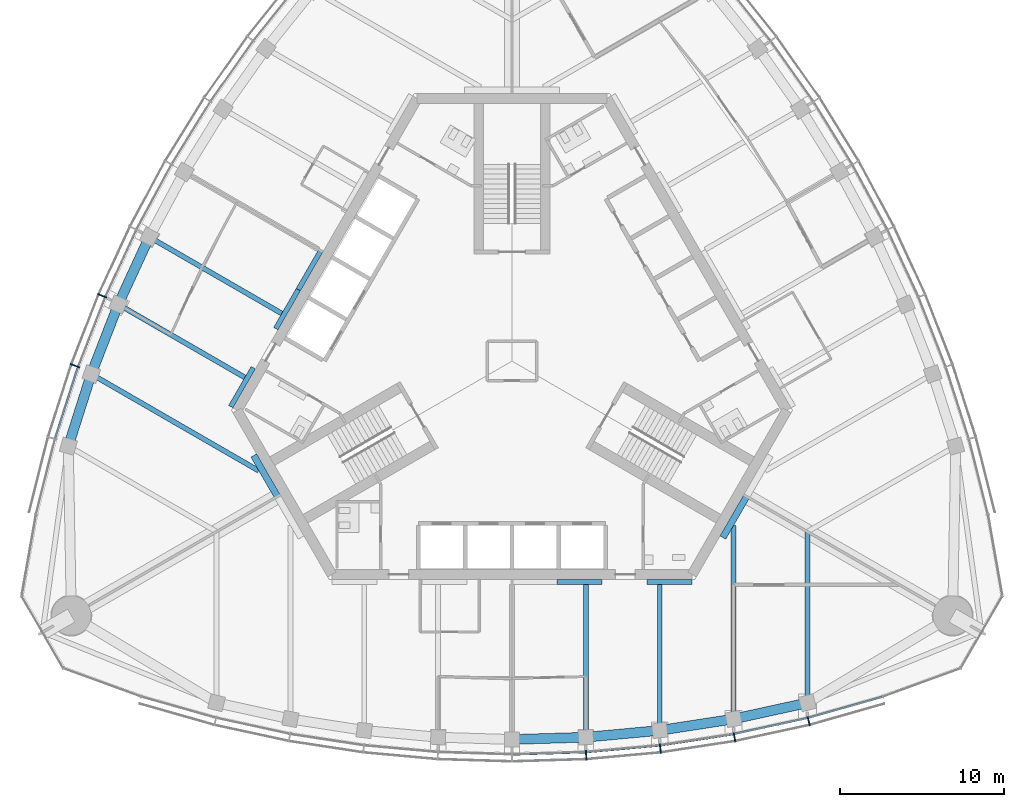
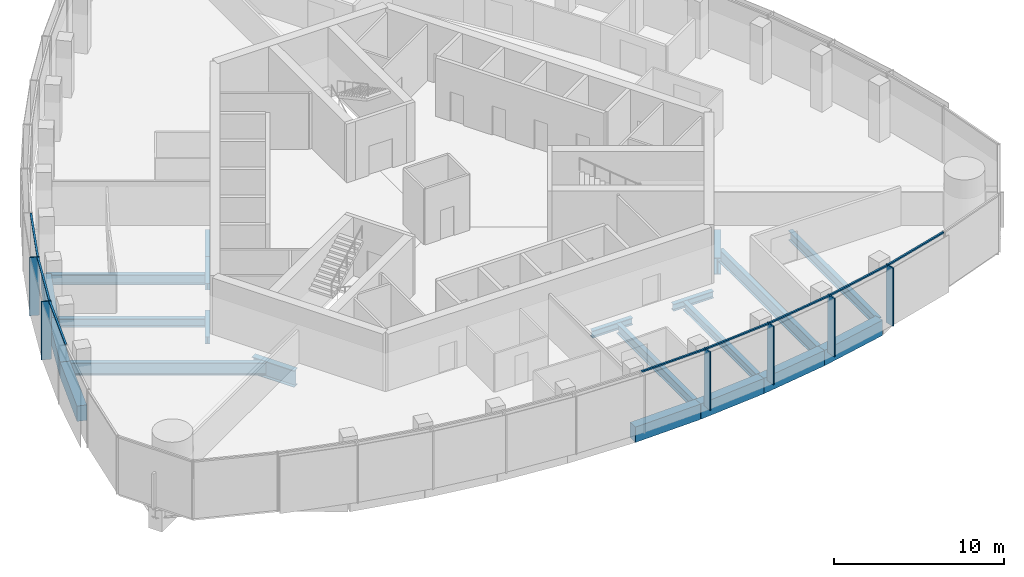
# One storey, part 3 of 16: 21 beams, 14 members, 2 elements without a shape of their own.
"""IFC4 building model written with IfcOpenShell, lengths in metres."""

from ifc_helpers import new_model, si_unit, direction, frame, origin, origin_2d, place, context, subcontext, project, spatial, rectangle, i_section, extrude, material, material_profile, profile_set, type_object, element, aggregate, save


model = new_model("IFC4")

# Units and contexts
model_context = context("Model", 3, precision=1e-05, world=origin(), true_north=direction((0.0, 1.0)))
body_context = subcontext(model_context, "Body", "Model", "MODEL_VIEW")
ifc_project = project(units=[si_unit("LENGTHUNIT", "METRE"), si_unit("AREAUNIT", "SQUARE_METRE"), si_unit("VOLUMEUNIT", "CUBIC_METRE"), si_unit("PLANEANGLEUNIT", "RADIAN"), si_unit("MASSUNIT", "GRAM", prefix="KILO")], contexts=[model_context])

# Site, building, storey
site_placement = place(None, origin())
site = spatial("IfcSite", under=ifc_project, at=site_placement, CompositionType="ELEMENT")
building_placement = place(site_placement, origin())
building = spatial("IfcBuilding", under=site, at=building_placement, Name="Trefoil Bronze Tower", CompositionType="ELEMENT")
storey_placement = place(building_placement, frame((0.0, 0.0, 314.10009765625)))
storey = spatial("IfcBuildingStorey", under=building, at=storey_placement, Name="L72", CompositionType="ELEMENT", Elevation=314.10009765625)

# Curtain wall, members
ifc_material_1 = material(Name="Tinted solar-control glass", Category="glass")
curtain_wall_type = type_object("IfcCurtainWallType", Name="Bronze office curtain wall", PredefinedType="USERDEFINED", material=ifc_material_1)
curtain_wall_1_placement = place(storey_placement, origin())
curtain_wall_1 = element("IfcCurtainWall", 1, at=curtain_wall_1_placement, inside=storey, type_object=curtain_wall_type, Name="CW-A L72 F1", ObjectType="CURTAIN WALL", PredefinedType="USERDEFINED")
ifc_material_2 = material(Name="Bronze-finish aluminium", Category="aluminium")
ifc_material_profile_1 = material_profile(ifc_material_2, rectangle(XDim=0.60009765625, YDim=0.080078125, at=origin_2d()), Name="CW-A mullion")
ifc_profile_set_1 = profile_set([ifc_material_profile_1], Name="Bronze-finish aluminium")
member_type_1 = type_object("IfcMemberType", Name="Bronze office curtain wall mullion", PredefinedType="MULLION", material=ifc_profile_set_1)
member_1_placement = place(storey_placement, frame((4.51806640625, -24.014892578125, 0.0), z_axis=(0.0, 0.0, 1.0), x_axis=(-0.060554040199, 0.998164920349, 0.0)))
member_1 = element("IfcMember", 2, at=member_1_placement, type_object=member_type_1, Name="CW-A L72 F1 mullion 7", PredefinedType="MULLION", context=body_context, shape_type="SweptSolid", body=[
    extrude(rectangle(XDim=0.60009765625, YDim=0.080078125, at=origin_2d()), origin(), (0.0, 0.0, 1.0), 4.179931640625),
])
member_2_placement = place(storey_placement, frame((9.036376953125, -23.602783203125, 0.0), z_axis=(0.0, 0.0, 1.0), x_axis=(-0.121109330868, 0.992639174109, 0.0)))
member_2 = element("IfcMember", 3, at=member_2_placement, type_object=member_type_1, Name="CW-A L72 F1 mullion 8", PredefinedType="MULLION", context=body_context, shape_type="SweptSolid", body=[
    extrude(rectangle(XDim=0.60009765625, YDim=0.080078125, at=origin_2d()), origin(), (0.0, 0.0, 1.0), 4.179931640625),
])
member_3_placement = place(storey_placement, frame((13.554443359375, -22.911376953125, 0.0), z_axis=(0.0, 0.0, 1.0), x_axis=(-0.181667218242, 0.983360067227, 0.0)))
member_3 = element("IfcMember", 4, at=member_3_placement, type_object=member_type_1, Name="CW-A L72 F1 mullion 9", PredefinedType="MULLION", context=body_context, shape_type="SweptSolid", body=[
    extrude(rectangle(XDim=0.60009765625, YDim=0.080078125, at=origin_2d()), origin(), (0.0, 0.0, 1.0), 4.179931640625),
])
member_4_placement = place(storey_placement, frame((18.07275390625, -21.931884765625, 0.0), z_axis=(0.0, 0.0, 1.0), x_axis=(-0.242394494031, 0.97017777199, 0.0)))
member_4 = element("IfcMember", 5, at=member_4_placement, type_object=member_type_1, Name="CW-A L72 F1 mullion 10", PredefinedType="MULLION", context=body_context, shape_type="SweptSolid", body=[
    extrude(rectangle(XDim=0.60009765625, YDim=0.080078125, at=origin_2d()), origin(), (0.0, 0.0, 1.0), 4.179931640625),
])

curtain_wall_2_placement = place(storey_placement, origin())
curtain_wall_2 = element("IfcCurtainWall", 6, at=curtain_wall_2_placement, inside=storey, type_object=curtain_wall_type, Name="CW-A L72 F3", ObjectType="CURTAIN WALL", PredefinedType="USERDEFINED")
member_5_placement = place(storey_placement, frame((-24.958984375, 3.975830078125, 0.0), z_axis=(0.0, 0.0, 1.0), x_axis=(0.920205407004, -0.391435829888, 0.0)))
member_5 = element("IfcMember", 7, at=member_5_placement, type_object=member_type_1, Name="CW-A L72 F3 mullion 8", PredefinedType="MULLION", context=body_context, shape_type="SweptSolid", body=[
    extrude(rectangle(XDim=0.60009765625, YDim=0.080078125, at=origin_2d()), origin(), (0.0, 0.0, 1.0), 4.179931640625),
])
member_6_placement = place(storey_placement, frame((-26.618896484375, -0.282958984375, 0.0), z_axis=(0.0, 0.0, 1.0), x_axis=(0.942448408407, -0.334351607581, 0.0)))
member_6 = element("IfcMember", 8, at=member_6_placement, type_object=member_type_1, Name="CW-A L72 F3 mullion 9", PredefinedType="MULLION", context=body_context, shape_type="SweptSolid", body=[
    extrude(rectangle(XDim=0.60009765625, YDim=0.080078125, at=origin_2d()), origin(), (0.0, 0.0, 1.0), 4.179931640625),
])

# Member
ifc_material_3 = material(Name="Bronze-finish aluminium", Category="aluminium")
ifc_material_profile_2 = material_profile(ifc_material_3, rectangle(XDim=0.1201171875, YDim=0.10009765625, at=origin_2d()), Name="CW-A transom")
ifc_profile_set_2 = profile_set([ifc_material_profile_2], Name="Bronze-finish aluminium")
member_type_2 = type_object("IfcMemberType", Name="Bronze office curtain wall transom", PredefinedType="USERDEFINED", material=ifc_profile_set_2)
member_7_placement = place(storey_placement, frame((0.04296875, -23.950439453125, 4.1298828125), z_axis=(0.99954057115, 0.030309183848, 0.0), x_axis=(-0.030309183848, 0.99954057115, 0.0)))
member_7 = element("IfcMember", 9, at=member_7_placement, type_object=member_type_2, Name="CW-A L72 F1 transom 6", ObjectType="TRANSOM", PredefinedType="USERDEFINED", context=body_context, shape_type="SweptSolid", body=[
    extrude(rectangle(XDim=0.1201171875, YDim=0.10009765625, at=origin_2d()), origin(), (0.0, 0.0, 1.0), 4.422119140625),
])

member_8_placement = place(storey_placement, frame((4.548828125, -23.811279296875, 4.1298828125), z_axis=(0.995868373079, 0.090808499059, 0.0), x_axis=(-0.090808499059, 0.995868373079, 0.0)))
member_8 = element("IfcMember", 10, at=member_8_placement, type_object=member_type_2, Name="CW-A L72 F1 transom 7", ObjectType="TRANSOM", PredefinedType="USERDEFINED", context=body_context, shape_type="SweptSolid", body=[
    extrude(rectangle(XDim=0.1201171875, YDim=0.10009765625, at=origin_2d()), origin(), (0.0, 0.0, 1.0), 4.438720703125),
])

member_9_placement = place(storey_placement, frame((9.0546875, -23.39794921875, 4.1298828125), z_axis=(0.988485016014, 0.151318779787, 0.0), x_axis=(-0.151318779787, 0.988485016014, 0.0)))
member_9 = element("IfcMember", 11, at=member_9_placement, type_object=member_type_2, Name="CW-A L72 F1 transom 8", ObjectType="TRANSOM", PredefinedType="USERDEFINED", context=body_context, shape_type="SweptSolid", body=[
    extrude(rectangle(XDim=0.1201171875, YDim=0.10009765625, at=origin_2d()), origin(), (0.0, 0.0, 1.0), 4.472412109375),
])

member_10_placement = place(storey_placement, frame((13.560302734375, -22.70556640625, 4.1298828125), z_axis=(0.977303780028, 0.211842681117, 0.0), x_axis=(-0.211842681117, 0.977303780028, 0.0)))
member_10 = element("IfcMember", 12, at=member_10_placement, type_object=member_type_2, Name="CW-A L72 F1 transom 9", ObjectType="TRANSOM", PredefinedType="USERDEFINED", context=body_context, shape_type="SweptSolid", body=[
    extrude(rectangle(XDim=0.1201171875, YDim=0.10009765625, at=origin_2d()), origin(), (0.0, 0.0, 1.0), 4.524658203125),
])

member_11_placement = place(storey_placement, frame((18.065673828125, -21.72607421875, 4.1298828125), z_axis=(0.962102611578, 0.272687668944, 0.0), x_axis=(-0.272687668944, 0.962102611578, 0.0)))
member_11 = element("IfcMember", 13, at=member_11_placement, type_object=member_type_2, Name="CW-A L72 F1 transom 10", ObjectType="TRANSOM", PredefinedType="USERDEFINED", context=body_context, shape_type="SweptSolid", body=[
    extrude(rectangle(XDim=0.1201171875, YDim=0.10009765625, at=origin_2d()), origin(), (0.0, 0.0, 1.0), 4.6474609375),
])

aggregate(curtain_wall_1, [member_1, member_2, member_3, member_4, member_7, member_8, member_9, member_10, member_11])

member_12_placement = place(storey_placement, frame((-22.895751953125, 7.966064453125, 4.1298828125), z_axis=(-0.4192988407, -0.907848270466, 0.0), x_axis=(0.907848270466, -0.4192988407, 0.0)))
member_12 = element("IfcMember", 14, at=member_12_placement, type_object=member_type_2, Name="CW-A L72 F3 transom 7", ObjectType="TRANSOM", PredefinedType="USERDEFINED", context=body_context, shape_type="SweptSolid", body=[
    extrude(rectangle(XDim=0.1201171875, YDim=0.10009765625, at=origin_2d()), origin(), (0.0, 0.0, 1.0), 4.4384765625),
])

member_13_placement = place(storey_placement, frame((-24.79052734375, 3.857421875, 4.1298828125), z_axis=(-0.363178486404, -0.931719586042, 0.0), x_axis=(0.931719586042, -0.363178486404, 0.0)))
member_13 = element("IfcMember", 15, at=member_13_placement, type_object=member_type_2, Name="CW-A L72 F3 transom 8", ObjectType="TRANSOM", PredefinedType="USERDEFINED", context=body_context, shape_type="SweptSolid", body=[
    extrude(rectangle(XDim=0.1201171875, YDim=0.10009765625, at=origin_2d()), origin(), (0.0, 0.0, 1.0), 4.472412109375),
])

member_14_placement = place(storey_placement, frame((-26.443603515625, -0.390869140625, 4.1298828125), z_axis=(-0.305198606794, -0.95228872219, 0.0), x_axis=(0.95228872219, -0.305198606794, 0.0)))
member_14 = element("IfcMember", 16, at=member_14_placement, type_object=member_type_2, Name="CW-A L72 F3 transom 9", ObjectType="TRANSOM", PredefinedType="USERDEFINED", context=body_context, shape_type="SweptSolid", body=[
    extrude(rectangle(XDim=0.1201171875, YDim=0.10009765625, at=origin_2d()), origin(), (0.0, 0.0, 1.0), 4.5244140625),
])

aggregate(curtain_wall_2, [member_5, member_6, member_12, member_13, member_14])

# Beams
ifc_material_4 = material(Name="Steel C355", Category="steel")
ifc_material_profile_3 = material_profile(ifc_material_4, i_section(OverallWidth=0.300048828125, OverallDepth=0.5, WebThickness=0.014404296875, FlangeThickness=0.028076171875, FilletRadius=0.027099609375, at=origin_2d()), Name="HEB 500")
ifc_profile_set_3 = profile_set([ifc_material_profile_3], Name="Steel C355")
beam_type_1 = type_object("IfcBeamType", Name="Core seat beam HEB 500", PredefinedType="BEAM", material=ifc_profile_set_3)
for number, where, z_axis, x_axis, name in (
    (17, (2.742431640625, -13.449951171875, -0.4501953125), (1.0, 0.0, 0.0), (0.0, 1.0, 0.0), "Core seat beam F1/+1 L72"),
    (18, (8.227294921875, -13.449951171875, -0.4501953125), (1.0, 0.0, 0.0), (0.0, 1.0, 0.0), "Core seat beam F1/+2 L72"),
    (19, (-11.64794921875, 6.72509765625, -0.4501953125), (-0.500035825175, -0.866004719122, 0.0), (0.866004719122, -0.500035825175, 0.0), "Core seat beam F3/+0 L72"),
    (20, (-13.019287109375, 4.35009765625, -0.4501953125), (-0.499969057507, -0.866043267704, 0.0), (0.866043267704, -0.499969057507, 0.0), "Core seat beam F3/+1 L72"),
    (21, (-15.76171875, -0.39990234375, -0.4501953125), (-0.499969057507, -0.866043267704, 0.0), (0.866043267704, -0.499969057507, 0.0), "Core seat beam F3/+2 L72"),
):
    element("IfcBeam", number, at=place(storey_placement, frame(where, z_axis=z_axis, x_axis=x_axis)), inside=storey, type_object=beam_type_1, Name=name, PredefinedType="BEAM", context=body_context, shape_type="SweptSolid", body=[
        extrude(i_section(OverallWidth=0.300048828125, OverallDepth=0.5, WebThickness=0.014404296875, FlangeThickness=0.028076171875, FilletRadius=0.027099609375, at=origin_2d()), origin(), (0.0, 0.0, 1.0), 2.742431640625),
    ])
ifc_material_5 = material(Name="Steel C355", Category="steel")
ifc_material_profile_4 = material_profile(ifc_material_5, i_section(OverallWidth=0.39990234375, OverallDepth=1.199951171875, WebThickness=0.02001953125, FlangeThickness=0.0400390625, FilletRadius=0.010009765625, at=origin_2d()), Name="WPG 1200")
ifc_profile_set_4 = profile_set([ifc_material_profile_4], Name="Steel C355")
beam_type_2 = type_object("IfcBeamType", Name="Core seat beam WPG 1200", PredefinedType="BEAM", material=ifc_profile_set_4)
beam_1_placement = place(storey_placement, frame((12.845947265625, -10.75, -0.800048828125), z_axis=(0.499995765644, 0.866027848477, 0.0), x_axis=(-0.866027848477, 0.499995765644, 0.0)))
element("IfcBeam", 22, at=beam_1_placement, inside=storey, type_object=beam_type_2, Name="Core seat beam F1/+3 L72", PredefinedType="BEAM", context=body_context, shape_type="SweptSolid", body=[
    extrude(i_section(OverallWidth=0.39990234375, OverallDepth=1.199951171875, WebThickness=0.02001953125, FlangeThickness=0.0400390625, FilletRadius=0.010009765625, at=origin_2d()), origin(), (0.0, 0.0, 1.0), 2.88671875),
])
beam_2_placement = place(storey_placement, frame((-15.73291015625, -5.75, -0.800048828125), z_axis=(0.500059191753, -0.865991226713, 0.0), x_axis=(0.865991226713, 0.500059191753, 0.0)))
element("IfcBeam", 23, at=beam_2_placement, inside=storey, type_object=beam_type_2, Name="Core seat beam F3/+3 L72", PredefinedType="BEAM", context=body_context, shape_type="SweptSolid", body=[
    extrude(i_section(OverallWidth=0.39990234375, OverallDepth=1.199951171875, WebThickness=0.02001953125, FlangeThickness=0.0400390625, FilletRadius=0.010009765625, at=origin_2d()), origin(), (0.0, 0.0, 1.0), 2.886962890625),
])
ifc_material_6 = material(Name="Steel C355", Category="steel")
ifc_material_profile_5 = material_profile(ifc_material_6, i_section(OverallWidth=0.300048828125, OverallDepth=0.60009765625, WebThickness=0.015380859375, FlangeThickness=0.030029296875, FilletRadius=0.027099609375, at=origin_2d()), Name="HEB 600")
ifc_profile_set_5 = profile_set([ifc_material_profile_5], Name="Steel C355")
beam_type_3 = type_object("IfcBeamType", Name="Floor beam HEB 600", PredefinedType="BEAM", material=ifc_profile_set_5)
for number, where, z_axis, x_axis, name in (
    (24, (9.0, -22.499267578125, -0.5), (0.0, 1.0, 0.0), (-1.0, 0.0, 0.0), "Floor beam F1/+2 L72"),
    (25, (-23.98486328125, 3.455322265625, -0.5), (0.866034827411, -0.499983677445, 0.0), (0.499983677445, 0.866034827411, 0.0), "Floor beam F3/+2 L72"),
):
    element("IfcBeam", number, at=place(storey_placement, frame(where, z_axis=z_axis, x_axis=x_axis)), inside=storey, type_object=beam_type_3, Name=name, PredefinedType="BEAM", context=body_context, shape_type="SweptSolid", body=[
        extrude(i_section(OverallWidth=0.300048828125, OverallDepth=0.60009765625, WebThickness=0.015380859375, FlangeThickness=0.030029296875, FilletRadius=0.027099609375, at=origin_2d()), origin(), (0.0, 0.0, 1.0), 8.899169921875),
    ])
ifc_material_7 = material(Name="Steel C355", Category="steel")
ifc_material_profile_6 = material_profile(ifc_material_7, i_section(OverallWidth=0.300048828125, OverallDepth=0.699951171875, WebThickness=0.01708984375, FlangeThickness=0.031982421875, FilletRadius=0.027099609375, at=origin_2d()), Name="HEB 700")
ifc_profile_set_6 = profile_set([ifc_material_profile_6], Name="Steel C355")
beam_type_4 = type_object("IfcBeamType", Name="Floor beam HEB 700", PredefinedType="BEAM", material=ifc_profile_set_6)
beam_3_placement = place(storey_placement, frame((4.5, -22.913818359375, -0.550048828125), z_axis=(0.0, 1.0, 0.0), x_axis=(-1.0, 0.0, 0.0)))
element("IfcBeam", 26, at=beam_3_placement, inside=storey, type_object=beam_type_4, Name="Floor beam F1/+1 L72", PredefinedType="BEAM", context=body_context, shape_type="SweptSolid", body=[
    extrude(i_section(OverallWidth=0.300048828125, OverallDepth=0.699951171875, WebThickness=0.01708984375, FlangeThickness=0.031982421875, FilletRadius=0.027099609375, at=origin_2d()), origin(), (0.0, 0.0, 1.0), 9.313720703125),
])
beam_4_placement = place(storey_placement, frame((18.0, -20.816162109375, -0.550048828125), z_axis=(0.0, 1.0, 0.0), x_axis=(-1.0, 0.0, 0.0)))
element("IfcBeam", 27, at=beam_4_placement, inside=storey, type_object=beam_type_4, Name="Floor beam F1/+4 L72", PredefinedType="BEAM", context=body_context, shape_type="SweptSolid", body=[
    extrude(i_section(OverallWidth=0.300048828125, OverallDepth=0.699951171875, WebThickness=0.01708984375, FlangeThickness=0.031982421875, FilletRadius=0.027099609375, at=origin_2d()), origin(), (0.0, 0.0, 1.0), 10.423828125),
])
beam_5_placement = place(storey_placement, frame((-22.093994140625, 7.559814453125, -0.550048828125), z_axis=(0.866026261222, -0.499998514871, 0.0), x_axis=(0.499998514871, 0.866026261222, 0.0)))
element("IfcBeam", 28, at=beam_5_placement, inside=storey, type_object=beam_type_4, Name="Floor beam F3/+1 L72", PredefinedType="BEAM", context=body_context, shape_type="SweptSolid", body=[
    extrude(i_section(OverallWidth=0.300048828125, OverallDepth=0.699951171875, WebThickness=0.01708984375, FlangeThickness=0.031982421875, FilletRadius=0.027099609375, at=origin_2d()), origin(), (0.0, 0.0, 1.0), 9.31396484375),
])
ifc_material_8 = material(Name="Steel C355", Category="steel")
ifc_material_profile_7 = material_profile(ifc_material_8, i_section(OverallWidth=0.300048828125, OverallDepth=0.89990234375, WebThickness=0.0185546875, FlangeThickness=0.034912109375, FilletRadius=0.030029296875, at=origin_2d()), Name="HEB 900")
ifc_profile_set_7 = profile_set([ifc_material_profile_7], Name="Steel C355")
beam_type_5 = type_object("IfcBeamType", Name="Floor beam HEB 900", PredefinedType="BEAM", material=ifc_profile_set_7)
beam_6_placement = place(storey_placement, frame((13.5, -21.802734375, -0.650146484375), z_axis=(0.0, 1.0, 0.0), x_axis=(-1.0, 0.0, 0.0)))
element("IfcBeam", 29, at=beam_6_placement, inside=storey, type_object=beam_type_5, Name="Floor beam F1/+3 L72", PredefinedType="BEAM", context=body_context, shape_type="SweptSolid", body=[
    extrude(i_section(OverallWidth=0.300048828125, OverallDepth=0.89990234375, WebThickness=0.0185546875, FlangeThickness=0.034912109375, FilletRadius=0.030029296875, at=origin_2d()), origin(), (0.0, 0.0, 1.0), 11.785400390625),
])
beam_7_placement = place(storey_placement, frame((-25.631591796875, -0.7900390625, -0.650146484375), z_axis=(0.866026552003, -0.499998011222, 0.0), x_axis=(0.499998011222, 0.866026552003, 0.0)))
element("IfcBeam", 30, at=beam_7_placement, inside=storey, type_object=beam_type_5, Name="Floor beam F3/+3 L72", PredefinedType="BEAM", context=body_context, shape_type="SweptSolid", body=[
    extrude(i_section(OverallWidth=0.300048828125, OverallDepth=0.89990234375, WebThickness=0.0185546875, FlangeThickness=0.034912109375, FilletRadius=0.030029296875, at=origin_2d()), origin(), (0.0, 0.0, 1.0), 11.78515625),
])
ifc_material_9 = material(Name="Concrete B80", Category="concrete")
ifc_material_profile_8 = material_profile(ifc_material_9, rectangle(XDim=0.60009765625, YDim=1.10009765625, at=origin_2d()), Name="RC 600x1100")
ifc_profile_set_8 = profile_set([ifc_material_profile_8], Name="Concrete B80")
beam_type_6 = type_object("IfcBeamType", Name="Spandrel beam RC 600x1100", PredefinedType="SPANDREL", material=ifc_profile_set_8)
beam_8_placement = place(storey_placement, frame((0.0, -23.051513671875, -0.75), z_axis=(0.999532180362, 0.03058464354, 0.0), x_axis=(-0.03058464354, 0.999532180362, 0.0)))
element("IfcBeam", 31, at=beam_8_placement, inside=storey, type_object=beam_type_6, Name="Spandrel F1.6 L72", PredefinedType="SPANDREL", context=body_context, shape_type="SweptSolid", body=[
    extrude(rectangle(XDim=0.60009765625, YDim=1.10009765625, at=origin_2d()), origin(), (0.0, 0.0, 1.0), 4.502197265625),
])
beam_9_placement = place(storey_placement, frame((4.5, -22.913818359375, -0.75), z_axis=(0.995783550481, 0.091733966402, 0.0), x_axis=(-0.091733966402, 0.995783550481, 0.0)))
element("IfcBeam", 32, at=beam_9_placement, inside=storey, type_object=beam_type_6, Name="Spandrel F1.7 L72", PredefinedType="SPANDREL", context=body_context, shape_type="SweptSolid", body=[
    extrude(rectangle(XDim=0.60009765625, YDim=1.10009765625, at=origin_2d()), origin(), (0.0, 0.0, 1.0), 4.51904296875),
])
beam_10_placement = place(storey_placement, frame((9.0, -22.499267578125, -0.75), z_axis=(0.988231820946, 0.152963616816, 0.0), x_axis=(-0.152963616816, 0.988231820946, 0.0)))
element("IfcBeam", 33, at=beam_10_placement, inside=storey, type_object=beam_type_6, Name="Spandrel F1.8 L72", PredefinedType="SPANDREL", context=body_context, shape_type="SweptSolid", body=[
    extrude(rectangle(XDim=0.60009765625, YDim=1.10009765625, at=origin_2d()), origin(), (0.0, 0.0, 1.0), 4.553466796875),
])
beam_11_placement = place(storey_placement, frame((13.5, -21.802734375, -0.75), z_axis=(0.976800342355, 0.214152028182, 0.0), x_axis=(-0.214152028182, 0.976800342355, 0.0)))
element("IfcBeam", 34, at=beam_11_placement, inside=storey, type_object=beam_type_6, Name="Spandrel F1.9 L72", PredefinedType="SPANDREL", context=body_context, shape_type="SweptSolid", body=[
    extrude(rectangle(XDim=0.60009765625, YDim=1.10009765625, at=origin_2d()), origin(), (0.0, 0.0, 1.0), 4.60693359375),
])
beam_12_placement = place(storey_placement, frame((-22.093994140625, 7.559814453125, -0.75), z_axis=(-0.418417425199, -0.90825484215, 0.0), x_axis=(0.90825484215, -0.418417425199, 0.0)))
element("IfcBeam", 35, at=beam_12_placement, inside=storey, type_object=beam_type_6, Name="Spandrel F3.7 L72", PredefinedType="SPANDREL", context=body_context, shape_type="SweptSolid", body=[
    extrude(rectangle(XDim=0.60009765625, YDim=1.10009765625, at=origin_2d()), origin(), (0.0, 0.0, 1.0), 4.51904296875),
])
beam_13_placement = place(storey_placement, frame((-23.98486328125, 3.455322265625, -0.75), z_axis=(-0.361636286502, -0.932319256631, 0.0), x_axis=(0.932319256631, -0.361636286502, 0.0)))
element("IfcBeam", 36, at=beam_13_placement, inside=storey, type_object=beam_type_6, Name="Spandrel F3.8 L72", PredefinedType="SPANDREL", context=body_context, shape_type="SweptSolid", body=[
    extrude(rectangle(XDim=0.60009765625, YDim=1.10009765625, at=origin_2d()), origin(), (0.0, 0.0, 1.0), 4.553466796875),
])
beam_14_placement = place(storey_placement, frame((-25.631591796875, -0.7900390625, -0.75), z_axis=(-0.302969597344, -0.953000221975, 0.0), x_axis=(0.953000221975, -0.302969597344, 0.0)))
element("IfcBeam", 37, at=beam_14_placement, inside=storey, type_object=beam_type_6, Name="Spandrel F3.9 L72", PredefinedType="SPANDREL", context=body_context, shape_type="SweptSolid", body=[
    extrude(rectangle(XDim=0.60009765625, YDim=1.10009765625, at=origin_2d()), origin(), (0.0, 0.0, 1.0), 4.60693359375),
])

save(model, "model.ifc")
